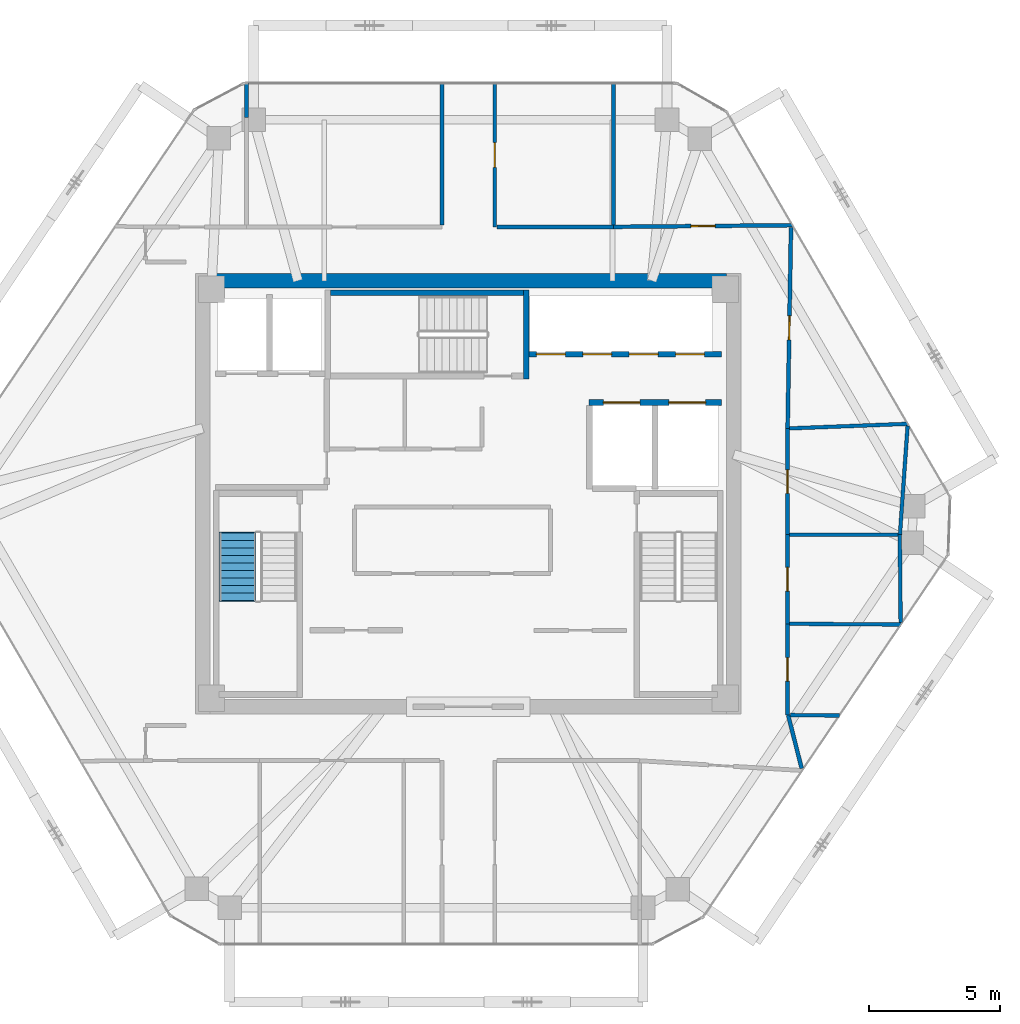
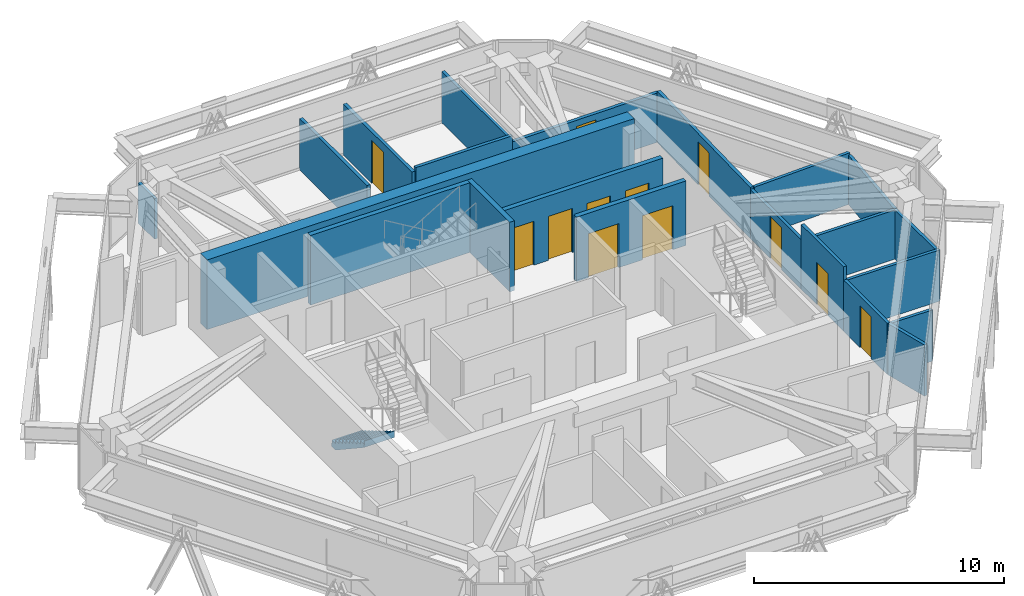
# One storey, part 11 of 13: 22 walls, 12 doors, 1 stair flight, 12 openings, 1 element without a shape of its own.
"""IFC4 building model written with IfcOpenShell, lengths in metres."""

from ifc_helpers import new_model, si_unit, direction, frame, frame_2d, origin, place, context, subcontext, project, spatial, polyline, rectangle, outline, extrude, source, transform, mapped, material, layer, layer_set, type_object, type_shapes, element, fill, aggregate, save


model = new_model("IFC4")

# Units and contexts
model_context = context("Model", 3, precision=1e-05, world=origin(), true_north=direction((0.0, 1.0)))
body_context = subcontext(model_context, "Body", "Model", "MODEL_VIEW")
ifc_project = project(units=[si_unit("LENGTHUNIT", "METRE"), si_unit("AREAUNIT", "SQUARE_METRE"), si_unit("VOLUMEUNIT", "CUBIC_METRE"), si_unit("PLANEANGLEUNIT", "RADIAN"), si_unit("MASSUNIT", "GRAM", prefix="KILO")], contexts=[model_context])

# Site, building, storey
site_placement = place(None, origin())
site = spatial("IfcSite", under=ifc_project, at=site_placement, CompositionType="ELEMENT")
building_placement = place(site_placement, origin())
building = spatial("IfcBuilding", under=site, at=building_placement, Name="Durnholm Broadcast Tower", CompositionType="ELEMENT")
storey_placement = place(building_placement, frame((0.0, 0.0, 254.699951171875)))
storey = spatial("IfcBuildingStorey", under=building, at=storey_placement, Name="L71", CompositionType="ELEMENT", Elevation=254.699951171875)

# Walls
ifc_material_1 = material(Name="Concrete C70/85", Category="concrete")
ifc_layer_1 = layer(ifc_material_1, 0.550048828125)
ifc_layer_set_1 = layer_set([ifc_layer_1], Name="Concrete C70/85")
wall_type_1 = type_object("IfcWallType", Name="WALL-CW-550", PredefinedType="SHEAR", material=ifc_layer_set_1)
wall_1_placement = place(storey_placement, frame((-9.85009765625, 8.125, 0.0), z_axis=(0.0, 0.0, 1.0), x_axis=(1.0, 0.0, 0.0)))
element("IfcWall", 1, at=wall_1_placement, inside=storey, type_object=wall_type_1, Name="L71 central core shear wall CW-N", PredefinedType="SHEAR", context=body_context, shape_type="SweptSolid", body=[
    extrude(rectangle(XDim=19.7001953125, YDim=0.550048828125, at=frame_2d((9.85009765625, 0.0))), origin(), (0.0, 0.0, 1.0), 3.400146484375),
])
ifc_material_2 = material(Name="Gypsum Metal Stud Partition", Category="concrete")
ifc_layer_2 = layer(ifc_material_2, 0.135009765625)
ifc_layer_set_2 = layer_set([ifc_layer_2], Name="Gypsum Metal Stud Partition")
wall_type_2 = type_object("IfcWallType", Name="WALL-PART-135", PredefinedType="PARTITIONING", material=ifc_layer_set_2)
wall_2_placement = place(storey_placement, frame((-8.4599609375, 15.662109375, 0.0), z_axis=(0.0, 0.0, 1.0), x_axis=(0.0, -1.0, 0.0)))
element("IfcWall", 2, at=wall_2_placement, inside=storey, type_object=wall_type_2, Name="L71 room dividing partition 10.11", PredefinedType="PARTITIONING", context=body_context, shape_type="SweptSolid", body=[
    extrude(rectangle(XDim=1.301025390625, YDim=0.135009765625, at=frame_2d((0.650390625, 0.0))), origin(), (0.0, 0.0, 1.0), 1.97705078125),
])
wall_3_placement = place(storey_placement, frame((5.5400390625, 15.662109375, 0.0), z_axis=(0.0, 0.0, 1.0), x_axis=(0.0, -1.0, 0.0)))
element("IfcWall", 3, at=wall_3_placement, inside=storey, type_object=wall_type_2, Name="L71 room dividing partition 12.13", PredefinedType="PARTITIONING", context=body_context, shape_type="SweptSolid", body=[
    extrude(rectangle(XDim=5.40234375, YDim=0.135009765625, at=frame_2d((2.701171875, 0.0))), origin(), (0.0, 0.0, 1.0), 2.498779296875),
])
ifc_material_3 = material(Name="Acoustic Gypsum Stud Partition", Category="concrete")
ifc_layer_3 = layer(ifc_material_3, 0.14990234375)
ifc_layer_set_3 = layer_set([ifc_layer_3], Name="Acoustic Gypsum Stud Partition")
wall_type_3 = type_object("IfcWallType", Name="WALL-PART-150", PredefinedType="PARTITIONING", material=ifc_layer_set_3)
wall_4_placement = place(storey_placement, frame((-1.010009765625, 15.662109375, 0.0), z_axis=(0.0, 0.0, 1.0), x_axis=(0.0, -1.0, 0.0)))
element("IfcWall", 4, at=wall_4_placement, inside=storey, type_object=wall_type_3, Name="L71 Fellows Meeting Room 2 corridor partition", PredefinedType="PARTITIONING", context=body_context, shape_type="SweptSolid", body=[
    extrude(rectangle(XDim=5.403076171875, YDim=0.14990234375, at=frame_2d((2.70166015625, 0.0))), origin(), (0.0, 0.0, 1.0), 2.498779296875),
])

# Wall, opening, door
wall_5_placement = place(storey_placement, frame((1.010009765625, 10.179931640625, 0.0), z_axis=(0.0, 0.0, 1.0), x_axis=(0.0, 1.0, 0.0)))
wall_5 = element("IfcWall", 5, at=wall_5_placement, inside=storey, type_object=wall_type_3, Name="L71 Fellows Meeting Room 3 corridor partition", PredefinedType="PARTITIONING", context=body_context, shape_type="SweptSolid", body=[
    extrude(rectangle(XDim=5.482177734375, YDim=0.14990234375, at=frame_2d((2.7412109375, 0.0))), origin(), (0.0, 0.0, 1.0), 2.498779296875),
])
opening_1_placement = place(wall_5_placement, frame((2.26611328125, 0.0, 0.0)))
opening_1 = element("IfcOpeningElement", 6, at=opening_1_placement, cuts=wall_5, Name="Opening DR-95R", PredefinedType="OPENING", context=body_context, shape_type="SweptSolid", body=[
    extrude(rectangle(XDim=0.949951171875, YDim=2.10009765625, at=frame_2d((0.47509765625, 1.050048828125))), frame((0.0, 0.0849609375, 0.0), z_axis=(0.0, -1.0, 0.0), x_axis=(1.0, 0.0, 0.0)), (0.0, 0.0, 1.0), 0.169921875),
])
ifc_material_4 = material(Name="Acoustic Oak Veneer Timber Door", Category="wood")
ifc_layer_4 = layer(ifc_material_4, 0.050048828125)
ifc_layer_set_4 = layer_set([ifc_layer_4], Name="Acoustic Oak Veneer Timber Door")
door_type_1 = type_object("IfcDoorType", Name="DOOR-RM-950R", OperationType="NOTDEFINED", PredefinedType="DOOR", material=ifc_layer_set_4)
shared_shape_1 = source(origin(), body_context, "Body", "SweptSolid", [
    extrude(rectangle(XDim=0.949951171875, YDim=2.10009765625, at=frame_2d((0.47509765625, 1.050048828125))), frame((0.0, 0.02490234375, 0.0), z_axis=(0.0, -1.0, 0.0), x_axis=(1.0, 0.0, 0.0)), (0.0, 0.0, 1.0), 0.050048828125),
])
type_shapes(door_type_1, [shared_shape_1])
door_1_placement = place(opening_1_placement, origin())
door_1 = element("IfcDoor", 7, at=door_1_placement, inside=storey, type_object=door_type_1, Name="L71 Fellows Meeting Room 3 entrance door", OperationType="SINGLE_SWING_RIGHT", OverallHeight=2.10009765625, OverallWidth=0.949951171875, PredefinedType="DOOR", context=body_context, shape_type="MappedRepresentation", body=[
    mapped(shared_shape_1, transform((0.0, 0.0, 0.0), x_axis=(1.0, 0.0, 0.0), y_axis=(0.0, 1.0, 0.0), z_axis=(0.0, 0.0, 1.0), scale=1.0)),
])
fill(opening_1, door_1)

# Wall
wall_6_placement = place(storey_placement, frame((5.5400390625, 10.179931640625, 0.0), z_axis=(0.0, 0.0, 1.0), x_axis=(-1.0, 0.0, 0.0)))
element("IfcWall", 8, at=wall_6_placement, inside=storey, type_object=wall_type_3, Name="L71 Fellows Meeting Room 3 corridor partition", PredefinedType="PARTITIONING", context=body_context, shape_type="SweptSolid", body=[
    extrude(rectangle(XDim=4.450927734375, YDim=0.14990234375, at=frame_2d((2.2255859375, 0.0))), origin(), (0.0, 0.0, 1.0), 2.70849609375),
])

# Wall, opening, door
wall_7_placement = place(storey_placement, frame((12.368408203125, 10.242919921875, 0.0), z_axis=(0.0, 0.0, 1.0), x_axis=(-0.999958440586, -0.009116858034, 0.0)))
wall_7 = element("IfcWall", 9, at=wall_7_placement, inside=storey, type_object=wall_type_3, Name="L71 Open Plan Broadcast Workspace 5 corridor partition", PredefinedType="PARTITIONING", context=body_context, shape_type="SweptSolid", body=[
    extrude(rectangle(XDim=6.82861328125, YDim=0.14990234375, at=frame_2d((3.414306640625, 0.0))), origin(), (0.0, 0.0, 1.0), 2.4013671875),
])
opening_2_placement = place(wall_7_placement, frame((2.954345703125, 0.0, 0.0)))
opening_2 = element("IfcOpeningElement", 10, at=opening_2_placement, cuts=wall_7, Name="Opening DR-92L", PredefinedType="OPENING", context=body_context, shape_type="SweptSolid", body=[
    extrude(rectangle(XDim=0.919921875, YDim=2.10009765625, at=frame_2d((0.4599609375, 1.050048828125))), frame((0.0, 0.0849609375, 0.0), z_axis=(0.0, -1.0, 0.0), x_axis=(1.0, 0.0, 0.0)), (0.0, 0.0, 1.0), 0.169921875),
])
ifc_material_5 = material(Name="Oak Veneer Office Door", Category="wood")
ifc_layer_5 = layer(ifc_material_5, 0.050048828125)
ifc_layer_set_5 = layer_set([ifc_layer_5], Name="Oak Veneer Office Door")
door_type_2 = type_object("IfcDoorType", Name="DOOR-RM-920L", OperationType="NOTDEFINED", PredefinedType="DOOR", material=ifc_layer_set_5)
shared_shape_2 = source(origin(), body_context, "Body", "SweptSolid", [
    extrude(rectangle(XDim=0.919921875, YDim=2.10009765625, at=frame_2d((0.4599609375, 1.050048828125))), frame((0.0, 0.02490234375, 0.0), z_axis=(0.0, -1.0, 0.0), x_axis=(1.0, 0.0, 0.0)), (0.0, 0.0, 1.0), 0.050048828125),
])
type_shapes(door_type_2, [shared_shape_2])
door_2_placement = place(opening_2_placement, origin())
door_2 = element("IfcDoor", 11, at=door_2_placement, inside=storey, type_object=door_type_2, Name="L71 Open Plan Broadcast Workspace 5 entrance door", OperationType="SINGLE_SWING_LEFT", OverallHeight=2.10009765625, OverallWidth=0.919921875, PredefinedType="DOOR", context=body_context, shape_type="MappedRepresentation", body=[
    mapped(shared_shape_2, transform((0.0, 0.0, 0.0), x_axis=(1.0, 0.0, 0.0), y_axis=(0.0, 1.0, 0.0), z_axis=(0.0, 0.0, 1.0), scale=1.0)),
])
fill(opening_2, door_2)

# Wall
wall_8_placement = place(storey_placement, frame((12.718505859375, -10.477294921875, 0.0), z_axis=(0.0, 0.0, 1.0), x_axis=(-0.246550381988, 0.96912997536, 0.0)))
element("IfcWall", 12, at=wall_8_placement, inside=storey, type_object=wall_type_3, Name="L71 Fellows Meeting Room 2 corridor partition", PredefinedType="PARTITIONING", context=body_context, shape_type="SweptSolid", body=[
    extrude(rectangle(XDim=2.102294921875, YDim=0.14990234375, at=frame_2d((1.05126953125, 0.0))), origin(), (0.0, 0.0, 1.0), 2.498779296875),
])

# Wall, opening, door
wall_9_placement = place(storey_placement, frame((12.181396484375, 2.489990234375, 0.0), z_axis=(0.0, 0.0, 1.0), x_axis=(0.016828669653, 0.999858387912, 0.0)))
wall_9 = element("IfcWall", 13, at=wall_9_placement, inside=storey, type_object=wall_type_3, Name="L71 Open Plan Broadcast Workspace 1 corridor partition", PredefinedType="PARTITIONING", context=body_context, shape_type="SweptSolid", body=[
    extrude(rectangle(XDim=7.67431640625, YDim=0.14990234375, at=frame_2d((3.837158203125, 0.0))), origin(), (0.0, 0.0, 1.0), 2.498779296875),
])
opening_3_placement = place(wall_9_placement, frame((3.377197265625, 0.0, 0.0)))
opening_3 = element("IfcOpeningElement", 14, at=opening_3_placement, cuts=wall_9, Name="Opening DR-92L", PredefinedType="OPENING", context=body_context, shape_type="SweptSolid", body=[
    extrude(rectangle(XDim=0.919921875, YDim=2.10009765625, at=frame_2d((0.4599609375, 1.050048828125))), frame((0.0, 0.0849609375, 0.0), z_axis=(0.0, -1.0, 0.0), x_axis=(1.0, 0.0, 0.0)), (0.0, 0.0, 1.0), 0.169921875),
])
door_3_placement = place(opening_3_placement, origin())
door_3 = element("IfcDoor", 15, at=door_3_placement, inside=storey, type_object=door_type_2, Name="L71 Open Plan Broadcast Workspace 1 entrance door", OperationType="SINGLE_SWING_LEFT", OverallHeight=2.10009765625, OverallWidth=0.919921875, PredefinedType="DOOR", context=body_context, shape_type="MappedRepresentation", body=[
    mapped(shared_shape_2, transform((0.0, 0.0, 0.0), x_axis=(1.0, 0.0, 0.0), y_axis=(0.0, 1.0, 0.0), z_axis=(0.0, 0.0, 1.0), scale=1.0)),
])
fill(opening_3, door_3)

# Wall, openings, doors
ifc_material_6 = material(Name="Concrete Blockwork C30/37", Category="masonry")
ifc_layer_6 = layer(ifc_material_6, 0.219970703125)
ifc_layer_set_6 = layer_set([ifc_layer_6], Name="Concrete Blockwork C30/37")
wall_type_4 = type_object("IfcWallType", Name="WALL-SHAFT-220", PredefinedType="SOLIDWALL", material=ifc_layer_set_6)
wall_10_placement = place(storey_placement, frame((4.60009765625, 3.47998046875, 0.0), z_axis=(0.0, 0.0, 1.0), x_axis=(1.0, 0.0, 0.0)))
wall_10 = element("IfcWall", 16, at=wall_10_placement, inside=storey, type_object=wall_type_4, Name="L71 freight service lifts north front wall", PredefinedType="SOLIDWALL", context=body_context, shape_type="SweptSolid", body=[
    extrude(rectangle(XDim=5.0498046875, YDim=0.219970703125, at=frame_2d((2.52490234375, 0.0))), origin(), (0.0, 0.0, 1.0), 3.14501953125),
])
opening_4_placement = place(wall_10_placement, frame((0.550048828125, 0.0, 0.0)))
opening_4 = element("IfcOpeningElement", 17, at=opening_4_placement, cuts=wall_10, Name="Opening LD-SVL-2", PredefinedType="OPENING", context=body_context, shape_type="SweptSolid", body=[
    extrude(rectangle(XDim=1.39990234375, YDim=2.14990234375, at=frame_2d((0.699951171875, 1.074951171875))), frame((0.0, 0.1201171875, 0.0), z_axis=(0.0, -1.0, 0.0), x_axis=(1.0, 0.0, 0.0)), (0.0, 0.0, 1.0), 0.239990234375),
])
opening_5_placement = place(wall_10_placement, frame((3.050048828125, 0.0, 0.0)))
opening_5 = element("IfcOpeningElement", 18, at=opening_5_placement, cuts=wall_10, Name="Opening LD-SVL-1", PredefinedType="OPENING", context=body_context, shape_type="SweptSolid", body=[
    extrude(rectangle(XDim=1.39990234375, YDim=2.14990234375, at=frame_2d((0.699951171875, 1.074951171875))), frame((0.0, 0.1201171875, 0.0), z_axis=(0.0, -1.0, 0.0), x_axis=(1.0, 0.0, 0.0)), (0.0, 0.0, 1.0), 0.239990234375),
])
ifc_material_7 = material(Name="Freight Elevator Bi-Parting Sliding Landing Door", Category="steel")
ifc_layer_7 = layer(ifc_material_7, 0.050048828125)
ifc_layer_set_7 = layer_set([ifc_layer_7], Name="Freight Elevator Bi-Parting Sliding Landing Door")
door_type_3 = type_object("IfcDoorType", Name="DOOR-LIFT-SVL", OperationType="DOUBLE_DOOR_SLIDING", PredefinedType="DOOR", material=ifc_layer_set_7)
shared_shape_3 = source(origin(), body_context, "Body", "SweptSolid", [
    extrude(rectangle(XDim=1.39990234375, YDim=2.14990234375, at=frame_2d((0.699951171875, 1.074951171875))), frame((0.0, 0.02490234375, 0.0), z_axis=(0.0, -1.0, 0.0), x_axis=(1.0, 0.0, 0.0)), (0.0, 0.0, 1.0), 0.050048828125),
])
type_shapes(door_type_3, [shared_shape_3])
door_4_placement = place(opening_4_placement, origin())
door_4 = element("IfcDoor", 19, at=door_4_placement, inside=storey, type_object=door_type_3, Name="L71 freight service elevator SVL-2 sliding landing door", OperationType="DOUBLE_DOOR_SLIDING", OverallHeight=2.14990234375, OverallWidth=1.39990234375, PredefinedType="DOOR", context=body_context, shape_type="MappedRepresentation", body=[
    mapped(shared_shape_3, transform((0.0, 0.0, 0.0), x_axis=(1.0, 0.0, 0.0), y_axis=(0.0, 1.0, 0.0), z_axis=(0.0, 0.0, 1.0), scale=1.0)),
])
fill(opening_4, door_4)
door_5_placement = place(opening_5_placement, origin())
door_5 = element("IfcDoor", 20, at=door_5_placement, inside=storey, type_object=door_type_3, Name="L71 freight service elevator SVL-1 sliding landing door", OperationType="DOUBLE_DOOR_SLIDING", OverallHeight=2.14990234375, OverallWidth=1.39990234375, PredefinedType="DOOR", context=body_context, shape_type="MappedRepresentation", body=[
    mapped(shared_shape_3, transform((0.0, 0.0, 0.0), x_axis=(1.0, 0.0, 0.0), y_axis=(0.0, 1.0, 0.0), z_axis=(0.0, 0.0, 1.0), scale=1.0)),
])
fill(opening_5, door_5)

wall_11_placement = place(storey_placement, frame((2.324951171875, 5.320068359375, 0.0), z_axis=(0.0, 0.0, 1.0), x_axis=(1.0, 0.0, 0.0)))
wall_11 = element("IfcWall", 21, at=wall_11_placement, inside=storey, type_object=wall_type_4, Name="L71 high-rise bank P3 south front wall", PredefinedType="SOLIDWALL", context=body_context, shape_type="SweptSolid", body=[
    extrude(rectangle(XDim=7.324951171875, YDim=0.219970703125, at=frame_2d((3.66259765625, 0.0))), origin(), (0.0, 0.0, 1.0), 3.14501953125),
])
opening_6_placement = place(wall_11_placement, frame((0.27490234375, 0.0, 0.0)))
opening_6 = element("IfcOpeningElement", 22, at=opening_6_placement, cuts=wall_11, Name="Opening LD-LP3-1", PredefinedType="OPENING", context=body_context, shape_type="SweptSolid", body=[
    extrude(rectangle(XDim=1.10009765625, YDim=2.14990234375, at=frame_2d((0.550048828125, 1.074951171875))), frame((0.0, 0.1201171875, 0.0), z_axis=(0.0, -1.0, 0.0), x_axis=(1.0, 0.0, 0.0)), (0.0, 0.0, 1.0), 0.239990234375),
])
opening_7_placement = place(wall_11_placement, frame((2.044921875, 0.0, 0.0)))
opening_7 = element("IfcOpeningElement", 23, at=opening_7_placement, cuts=wall_11, Name="Opening LD-LP3-2", PredefinedType="OPENING", context=body_context, shape_type="SweptSolid", body=[
    extrude(rectangle(XDim=1.10009765625, YDim=2.14990234375, at=frame_2d((0.550048828125, 1.074951171875))), frame((0.0, 0.1201171875, 0.0), z_axis=(0.0, -1.0, 0.0), x_axis=(1.0, 0.0, 0.0)), (0.0, 0.0, 1.0), 0.239990234375),
])
opening_8_placement = place(wall_11_placement, frame((3.81494140625, 0.0, 0.0)))
opening_8 = element("IfcOpeningElement", 24, at=opening_8_placement, cuts=wall_11, Name="Opening LD-LP3-3", PredefinedType="OPENING", context=body_context, shape_type="SweptSolid", body=[
    extrude(rectangle(XDim=1.10009765625, YDim=2.14990234375, at=frame_2d((0.550048828125, 1.074951171875))), frame((0.0, 0.1201171875, 0.0), z_axis=(0.0, -1.0, 0.0), x_axis=(1.0, 0.0, 0.0)), (0.0, 0.0, 1.0), 0.239990234375),
])
opening_9_placement = place(wall_11_placement, frame((5.5849609375, 0.0, 0.0)))
opening_9 = element("IfcOpeningElement", 25, at=opening_9_placement, cuts=wall_11, Name="Opening LD-LP3-4", PredefinedType="OPENING", context=body_context, shape_type="SweptSolid", body=[
    extrude(rectangle(XDim=1.10009765625, YDim=2.14990234375, at=frame_2d((0.550048828125, 1.074951171875))), frame((0.0, 0.1201171875, 0.0), z_axis=(0.0, -1.0, 0.0), x_axis=(1.0, 0.0, 0.0)), (0.0, 0.0, 1.0), 0.239990234375),
])
ifc_material_8 = material(Name="Stainless Steel Sliding Elevator Landing Door", Category="steel")
ifc_layer_8 = layer(ifc_material_8, 0.050048828125)
ifc_layer_set_8 = layer_set([ifc_layer_8], Name="Stainless Steel Sliding Elevator Landing Door")
door_type_4 = type_object("IfcDoorType", Name="DOOR-LIFT-PAX", OperationType="DOUBLE_DOOR_SLIDING", PredefinedType="DOOR", material=ifc_layer_set_8)
shared_shape_4 = source(origin(), body_context, "Body", "SweptSolid", [
    extrude(rectangle(XDim=1.10009765625, YDim=2.14990234375, at=frame_2d((0.550048828125, 1.074951171875))), frame((0.0, 0.02490234375, 0.0), z_axis=(0.0, -1.0, 0.0), x_axis=(1.0, 0.0, 0.0)), (0.0, 0.0, 1.0), 0.050048828125),
])
type_shapes(door_type_4, [shared_shape_4])
door_6_placement = place(opening_6_placement, origin())
door_6 = element("IfcDoor", 26, at=door_6_placement, inside=storey, type_object=door_type_4, Name="L71 high-rise elevator LP3-1 sliding landing door", OperationType="DOUBLE_DOOR_SLIDING", OverallHeight=2.14990234375, OverallWidth=1.10009765625, PredefinedType="DOOR", context=body_context, shape_type="MappedRepresentation", body=[
    mapped(shared_shape_4, transform((0.0, 0.0, 0.0), x_axis=(1.0, 0.0, 0.0), y_axis=(0.0, 1.0, 0.0), z_axis=(0.0, 0.0, 1.0), scale=1.0)),
])
fill(opening_6, door_6)
door_7_placement = place(opening_7_placement, origin())
door_7 = element("IfcDoor", 27, at=door_7_placement, inside=storey, type_object=door_type_4, Name="L71 high-rise elevator LP3-2 sliding landing door", OperationType="DOUBLE_DOOR_SLIDING", OverallHeight=2.14990234375, OverallWidth=1.10009765625, PredefinedType="DOOR", context=body_context, shape_type="MappedRepresentation", body=[
    mapped(shared_shape_4, transform((0.0, 0.0, 0.0), x_axis=(1.0, 0.0, 0.0), y_axis=(0.0, 1.0, 0.0), z_axis=(0.0, 0.0, 1.0), scale=1.0)),
])
fill(opening_7, door_7)
door_8_placement = place(opening_8_placement, origin())
door_8 = element("IfcDoor", 28, at=door_8_placement, inside=storey, type_object=door_type_4, Name="L71 high-rise elevator LP3-3 sliding landing door", OperationType="DOUBLE_DOOR_SLIDING", OverallHeight=2.14990234375, OverallWidth=1.10009765625, PredefinedType="DOOR", context=body_context, shape_type="MappedRepresentation", body=[
    mapped(shared_shape_4, transform((0.0, 0.0, 0.0), x_axis=(1.0, 0.0, 0.0), y_axis=(0.0, 1.0, 0.0), z_axis=(0.0, 0.0, 1.0), scale=1.0)),
])
fill(opening_8, door_8)
door_9_placement = place(opening_9_placement, origin())
door_9 = element("IfcDoor", 29, at=door_9_placement, inside=storey, type_object=door_type_4, Name="L71 high-rise elevator LP3-4 sliding landing door", OperationType="DOUBLE_DOOR_SLIDING", OverallHeight=2.14990234375, OverallWidth=1.10009765625, PredefinedType="DOOR", context=body_context, shape_type="MappedRepresentation", body=[
    mapped(shared_shape_4, transform((0.0, 0.0, 0.0), x_axis=(1.0, 0.0, 0.0), y_axis=(0.0, 1.0, 0.0), z_axis=(0.0, 0.0, 1.0), scale=1.0)),
])
fill(opening_9, door_9)

# Walls
ifc_material_9 = material(Name="Concrete C50/60", Category="concrete")
ifc_layer_9 = layer(ifc_material_9, 0.219970703125)
ifc_layer_set_9 = layer_set([ifc_layer_9], Name="Concrete C50/60")
wall_type_5 = type_object("IfcWallType", Name="WALL-SW-220", PredefinedType="SHEAR", material=ifc_layer_set_9)
wall_12_placement = place(storey_placement, frame((2.2099609375, 4.3798828125, -0.239990234375), z_axis=(0.0, 0.0, 1.0), x_axis=(0.0, 1.0, 0.0)))
element("IfcWall", 30, at=wall_12_placement, inside=storey, type_object=wall_type_5, Name="L71 stair ST-3 structural shaft wall E", PredefinedType="SHEAR", context=body_context, shape_type="SweptSolid", body=[
    extrude(rectangle(XDim=3.400146484375, YDim=0.219970703125, at=frame_2d((1.7001953125, 0.0))), origin(), (0.0, 0.0, 1.0), 3.400146484375),
])
wall_13_placement = place(storey_placement, frame((2.10009765625, 7.669921875, -0.239990234375), z_axis=(0.0, 0.0, 1.0), x_axis=(-1.0, 0.0, 0.0)))
element("IfcWall", 31, at=wall_13_placement, inside=storey, type_object=wall_type_5, Name="L71 stair ST-3 structural shaft wall N", PredefinedType="SHEAR", context=body_context, shape_type="SweptSolid", body=[
    extrude(rectangle(XDim=7.35009765625, YDim=0.219970703125, at=frame_2d((3.675048828125, 0.0))), origin(), (0.0, 0.0, 1.0), 3.400146484375),
])

# Wall, opening, door
ifc_material_10 = material(Name="Moisture-Resistant Tile Partition", Category="concrete")
ifc_layer_10 = layer(ifc_material_10, 0.139892578125)
ifc_layer_set_10 = layer_set([ifc_layer_10], Name="Moisture-Resistant Tile Partition")
wall_type_6 = type_object("IfcWallType", Name="WALL-WC-140", PredefinedType="PARTITIONING", material=ifc_layer_set_10)
wall_14_placement = place(storey_placement, frame((12.179931640625, -8.43994140625, 0.0), z_axis=(0.0, 0.0, 1.0), x_axis=(0.0, 1.0, 0.0)))
wall_14 = element("IfcWall", 32, at=wall_14_placement, inside=storey, type_object=wall_type_6, Name="L71 Men's Restroom corridor partition", PredefinedType="PARTITIONING", context=body_context, shape_type="SweptSolid", body=[
    extrude(rectangle(XDim=3.47998046875, YDim=0.139892578125, at=frame_2d((1.739990234375, 0.0))), origin(), (0.0, 0.0, 1.0), 2.498779296875),
])
opening_10_placement = place(wall_14_placement, frame((1.2900390625, 0.0, 0.0)))
opening_10 = element("IfcOpeningElement", 33, at=opening_10_placement, cuts=wall_14, Name="Opening DW-90L", PredefinedType="OPENING", context=body_context, shape_type="SweptSolid", body=[
    extrude(rectangle(XDim=0.89990234375, YDim=2.050048828125, at=frame_2d((0.449951171875, 1.02490234375))), frame((0.0, 0.080078125, 0.0), z_axis=(0.0, -1.0, 0.0), x_axis=(1.0, 0.0, 0.0)), (0.0, 0.0, 1.0), 0.159912109375),
])
ifc_material_11 = material(Name="Laminate Restroom Door", Category="steel")
ifc_layer_11 = layer(ifc_material_11, 0.050048828125)
ifc_layer_set_11 = layer_set([ifc_layer_11], Name="Laminate Restroom Door")
door_type_5 = type_object("IfcDoorType", Name="DOOR-WC-900L", OperationType="NOTDEFINED", PredefinedType="DOOR", material=ifc_layer_set_11)
shared_shape_5 = source(origin(), body_context, "Body", "SweptSolid", [
    extrude(rectangle(XDim=0.89990234375, YDim=2.050048828125, at=frame_2d((0.449951171875, 1.02490234375))), frame((0.0, 0.02490234375, 0.0), z_axis=(0.0, -1.0, 0.0), x_axis=(1.0, 0.0, 0.0)), (0.0, 0.0, 1.0), 0.050048828125),
])
type_shapes(door_type_5, [shared_shape_5])
door_10_placement = place(opening_10_placement, origin())
door_10 = element("IfcDoor", 34, at=door_10_placement, inside=storey, type_object=door_type_5, Name="L71 Men's Restroom entrance door", OperationType="SINGLE_SWING_LEFT", OverallHeight=2.050048828125, OverallWidth=0.89990234375, PredefinedType="DOOR", context=body_context, shape_type="MappedRepresentation", body=[
    mapped(shared_shape_5, transform((0.0, 0.0, 0.0), x_axis=(1.0, 0.0, 0.0), y_axis=(0.0, 1.0, 0.0), z_axis=(0.0, 0.0, 1.0), scale=1.0)),
])
fill(opening_10, door_10)

wall_15_placement = place(storey_placement, frame((12.179931640625, -4.9599609375, 0.0), z_axis=(0.0, 0.0, 1.0), x_axis=(0.0, 1.0, 0.0)))
wall_15 = element("IfcWall", 35, at=wall_15_placement, inside=storey, type_object=wall_type_6, Name="L71 Women's Restroom corridor partition", PredefinedType="PARTITIONING", context=body_context, shape_type="SweptSolid", body=[
    extrude(rectangle(XDim=3.39990234375, YDim=0.139892578125, at=frame_2d((1.699951171875, 0.0))), origin(), (0.0, 0.0, 1.0), 3.14501953125),
])
opening_11_placement = place(wall_15_placement, frame((1.25, 0.0, 0.0)))
opening_11 = element("IfcOpeningElement", 36, at=opening_11_placement, cuts=wall_15, Name="Opening DW-90R", PredefinedType="OPENING", context=body_context, shape_type="SweptSolid", body=[
    extrude(rectangle(XDim=0.89990234375, YDim=2.050048828125, at=frame_2d((0.449951171875, 1.02490234375))), frame((0.0, 0.080078125, 0.0), z_axis=(0.0, -1.0, 0.0), x_axis=(1.0, 0.0, 0.0)), (0.0, 0.0, 1.0), 0.159912109375),
])
ifc_layer_12 = layer(ifc_material_11, 0.050048828125)
ifc_layer_set_12 = layer_set([ifc_layer_12], Name="Laminate Restroom Door")
door_type_6 = type_object("IfcDoorType", Name="DOOR-WC-900R", OperationType="NOTDEFINED", PredefinedType="DOOR", material=ifc_layer_set_12)
shared_shape_6 = source(origin(), body_context, "Body", "SweptSolid", [
    extrude(rectangle(XDim=0.89990234375, YDim=2.050048828125, at=frame_2d((0.449951171875, 1.02490234375))), frame((0.0, 0.02490234375, 0.0), z_axis=(0.0, -1.0, 0.0), x_axis=(1.0, 0.0, 0.0)), (0.0, 0.0, 1.0), 0.050048828125),
])
type_shapes(door_type_6, [shared_shape_6])
door_11_placement = place(opening_11_placement, origin())
door_11 = element("IfcDoor", 37, at=door_11_placement, inside=storey, type_object=door_type_6, Name="L71 Women's Restroom entrance door", OperationType="SINGLE_SWING_RIGHT", OverallHeight=2.050048828125, OverallWidth=0.89990234375, PredefinedType="DOOR", context=body_context, shape_type="MappedRepresentation", body=[
    mapped(shared_shape_6, transform((0.0, 0.0, 0.0), x_axis=(1.0, 0.0, 0.0), y_axis=(0.0, 1.0, 0.0), z_axis=(0.0, 0.0, 1.0), scale=1.0)),
])
fill(opening_11, door_11)

wall_16_placement = place(storey_placement, frame((12.179931640625, -1.56005859375, 0.0), z_axis=(0.0, 0.0, 1.0), x_axis=(0.0, 1.0, 0.0)))
wall_16 = element("IfcWall", 38, at=wall_16_placement, inside=storey, type_object=wall_type_6, Name="L71 Accessible Restroom corridor partition", PredefinedType="PARTITIONING", context=body_context, shape_type="SweptSolid", body=[
    extrude(rectangle(XDim=4.050048828125, YDim=0.139892578125, at=frame_2d((2.02490234375, 0.0))), origin(), (0.0, 0.0, 1.0), 2.4013671875),
])
opening_12_placement = place(wall_16_placement, frame((1.574951171875, 0.0, 0.0)))
opening_12 = element("IfcOpeningElement", 39, at=opening_12_placement, cuts=wall_16, Name="Opening DW-90L", PredefinedType="OPENING", context=body_context, shape_type="SweptSolid", body=[
    extrude(rectangle(XDim=0.89990234375, YDim=2.050048828125, at=frame_2d((0.449951171875, 1.02490234375))), frame((0.0, 0.080078125, 0.0), z_axis=(0.0, -1.0, 0.0), x_axis=(1.0, 0.0, 0.0)), (0.0, 0.0, 1.0), 0.159912109375),
])
door_12_placement = place(opening_12_placement, origin())
door_12 = element("IfcDoor", 40, at=door_12_placement, inside=storey, type_object=door_type_5, Name="L71 Accessible Restroom entrance door", OperationType="SINGLE_SWING_LEFT", OverallHeight=2.050048828125, OverallWidth=0.89990234375, PredefinedType="DOOR", context=body_context, shape_type="MappedRepresentation", body=[
    mapped(shared_shape_5, transform((0.0, 0.0, 0.0), x_axis=(1.0, 0.0, 0.0), y_axis=(0.0, 1.0, 0.0), z_axis=(0.0, 0.0, 1.0), scale=1.0)),
])
fill(opening_12, door_12)

# Walls
wall_17_placement = place(storey_placement, frame((12.25390625, -4.96044921875, 0.0), z_axis=(0.0, 0.0, 1.0), x_axis=(0.999976630429, -0.006836563198, 0.0)))
element("IfcWall", 41, at=wall_17_placement, inside=storey, type_object=wall_type_6, Name="L71 room dividing partition 7.8", PredefinedType="PARTITIONING", context=body_context, shape_type="SweptSolid", body=[
    extrude(rectangle(XDim=4.24951171875, YDim=0.139892578125, at=frame_2d((2.124755859375, 0.0))), origin(), (0.0, 0.0, 1.0), 2.498779296875),
])
wall_18_placement = place(storey_placement, frame((14.155517578125, -8.46240234375, 0.0), z_axis=(0.0, 0.0, 1.0), x_axis=(-0.999935742613, 0.011336253532, 0.0)))
element("IfcWall", 42, at=wall_18_placement, inside=storey, type_object=wall_type_6, Name="L71 room dividing partition 7.18", PredefinedType="PARTITIONING", context=body_context, shape_type="SweptSolid", body=[
    extrude(rectangle(XDim=1.87353515625, YDim=0.139892578125, at=frame_2d((0.936767578125, 0.0))), origin(), (0.0, 0.0, 1.0), 2.498779296875),
])
wall_19_placement = place(storey_placement, frame((12.25390625, -1.56005859375, 0.0), z_axis=(0.0, 0.0, 1.0), x_axis=(1.0, 0.0, 0.0)))
element("IfcWall", 43, at=wall_19_placement, inside=storey, type_object=wall_type_6, Name="L71 room dividing partition 8.9", PredefinedType="PARTITIONING", context=body_context, shape_type="SweptSolid", body=[
    extrude(rectangle(XDim=4.2060546875, YDim=0.139892578125, at=frame_2d((2.10302734375, 0.0))), origin(), (0.0, 0.0, 1.0), 2.4013671875),
])
wall_20_placement = place(storey_placement, frame((16.4599609375, -1.56005859375, 0.0), z_axis=(0.0, 0.0, 1.0), x_axis=(0.009604446748, -0.999953876238, 0.0)))
element("IfcWall", 44, at=wall_20_placement, inside=storey, type_object=wall_type_6, Name="L71 room dividing partition 8.21", PredefinedType="PARTITIONING", context=body_context, shape_type="SweptSolid", body=[
    extrude(rectangle(XDim=3.35546875, YDim=0.139892578125, at=frame_2d((1.677734375, 0.0))), origin(), (0.0, 0.0, 1.0), 2.4013671875),
])
wall_21_placement = place(storey_placement, frame((12.260498046875, 2.4931640625, 0.0), z_axis=(0.0, 0.0, 1.0), x_axis=(0.999256206289, 0.038562082324, 0.0)))
element("IfcWall", 45, at=wall_21_placement, inside=storey, type_object=wall_type_6, Name="L71 room dividing partition 9.21", PredefinedType="PARTITIONING", context=body_context, shape_type="SweptSolid", body=[
    extrude(rectangle(XDim=4.5078125, YDim=0.139892578125, at=frame_2d((2.25390625, 0.0))), origin(), (0.0, 0.0, 1.0), 2.498779296875),
])
wall_22_placement = place(storey_placement, frame((16.759521484375, 2.5927734375, 0.0), z_axis=(0.0, 0.0, 1.0), x_axis=(-0.07055102187, -0.997508172053, 0.0)))
element("IfcWall", 46, at=wall_22_placement, inside=storey, type_object=wall_type_6, Name="L71 room dividing partition 9.21", PredefinedType="PARTITIONING", context=body_context, shape_type="SweptSolid", body=[
    extrude(rectangle(XDim=4.162841796875, YDim=0.139892578125, at=frame_2d((2.08154296875, 0.0))), origin(), (0.0, 0.0, 1.0), 2.4013671875),
])

# Stair, stair flight
stair_type = type_object("IfcStairType", Name="STAIR-DL-20R1700", PredefinedType="HALF_TURN_STAIR", material=ifc_material_9)
stair_placement = place(storey_placement, origin())
stair = element("IfcStair", 47, at=stair_placement, inside=storey, type_object=stair_type, Name="L71 ST-1", PredefinedType="HALF_TURN_STAIR")
stair_flight_type = type_object("IfcStairFlightType", Name="FLIGHT-DL-20R1700", PredefinedType="STRAIGHT", material=ifc_material_9)
stair_flight_placement = place(storey_placement, frame((-8.800048828125, -1.5, 0.0), z_axis=(0.0, 0.0, 1.0), x_axis=(0.0, -1.0, 0.0)))
stair_flight = element("IfcStairFlight", 48, at=stair_flight_placement, type_object=stair_flight_type, Name="ST-1 flight 1", NumberOfRisers=10, NumberOfTreads=9, PredefinedType="STRAIGHT", RiserHeight=0.17, TreadLength=0.285, context=body_context, shape_type="SweptSolid", body=[
    extrude(outline(polyline([(-0.0400390625, -0.14990234375), (-0.0400390625, 0.0), (0.0, 0.0), (0.0, 0.169921875), (0.284912109375, 0.169921875), (0.284912109375, 0.340087890625), (0.570068359375, 0.340087890625), (0.570068359375, 0.510009765625), (0.85498046875, 0.510009765625), (0.85498046875, 0.679931640625), (1.139892578125, 0.679931640625), (1.139892578125, 0.85009765625), (1.425048828125, 0.85009765625), (1.425048828125, 1.02001953125), (1.7099609375, 1.02001953125), (1.7099609375, 1.18994140625), (1.9951171875, 1.18994140625), (1.9951171875, 1.360107421875), (2.280029296875, 1.360107421875), (2.280029296875, 1.530029296875), (2.56494140625, 1.530029296875), (2.56494140625, 1.699951171875), (2.60498046875, 1.699951171875), (2.60498046875, 1.550048828125), (2.56494140625, 1.35546875), (0.292724609375, -0.14990234375), (-0.0400390625, -0.14990234375)])), frame((0.0, 0.699951171875, 0.0), z_axis=(0.0, -1.0, 0.0), x_axis=(1.0, 0.0, 0.0)), (0.0, 0.0, 1.0), 1.39990234375),
])
aggregate(stair, [stair_flight])

save(model, "model.ifc")
